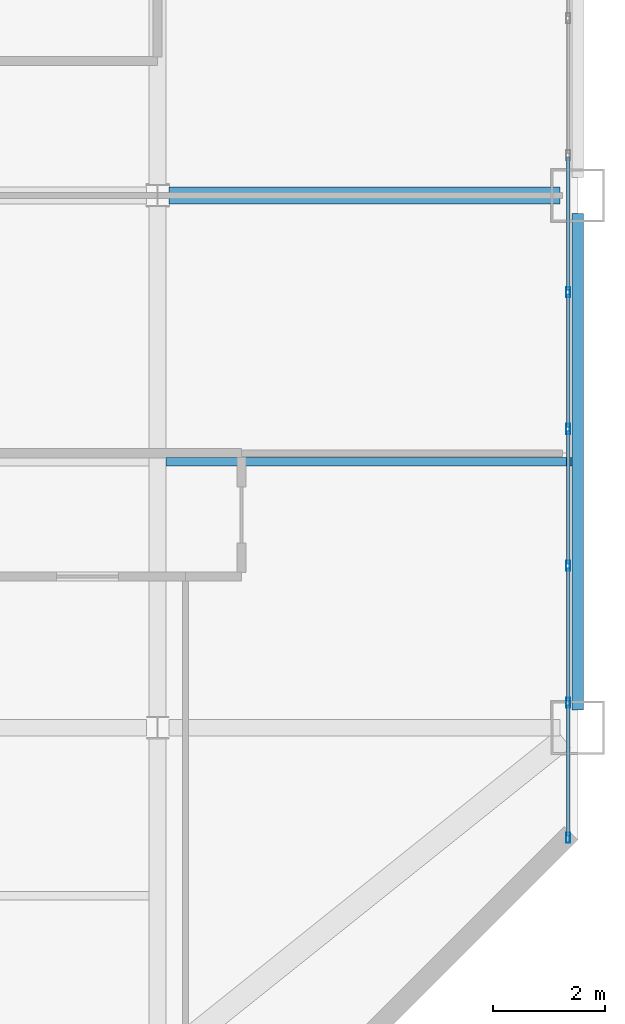
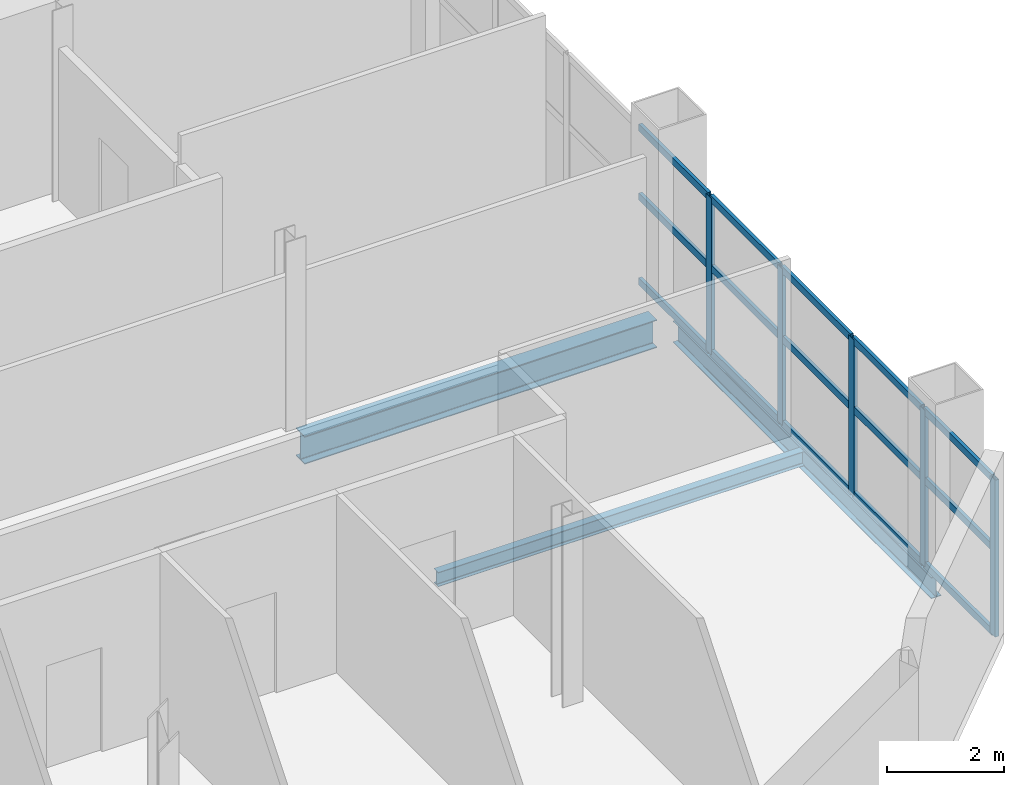
# One storey, part 4 of 12: 20 members, 3 beams, 1 element without a shape of its own.
"""IFC4 building model written with IfcOpenShell, lengths in metres."""

from ifc_helpers import new_model, si_unit, direction, frame, origin, origin_2d, place, context, subcontext, project, spatial, hollow_rectangle, i_section, extrude, material, layer, layer_set, material_profile, profile_set, type_object, element, aggregate, save


model = new_model("IFC4")

# Units and contexts
model_context = context("Model", 3, precision=1e-05, world=origin(), true_north=direction((0.0, 1.0)))
body_context = subcontext(model_context, "Body", "Model", "MODEL_VIEW")
ifc_project = project(units=[si_unit("LENGTHUNIT", "METRE"), si_unit("AREAUNIT", "SQUARE_METRE"), si_unit("VOLUMEUNIT", "CUBIC_METRE"), si_unit("PLANEANGLEUNIT", "RADIAN"), si_unit("MASSUNIT", "GRAM", prefix="KILO")], contexts=[model_context])

# Site, building, storey
site_placement = place(None, origin())
site = spatial("IfcSite", under=ifc_project, at=site_placement, CompositionType="ELEMENT")
building_placement = place(site_placement, origin())
building = spatial("IfcBuilding", under=site, at=building_placement, Name="Qianrong Seaharbour Tower", CompositionType="ELEMENT")
storey_placement = place(building_placement, frame((0.0, 0.0, 205.800048828125)))
storey = spatial("IfcBuildingStorey", under=building, at=storey_placement, Name="L49", CompositionType="ELEMENT", Elevation=205.800048828125)

# Beams
ifc_material_1 = material(Name="Structural steel SN490B", Category="steel")
ifc_material_profile_1 = material_profile(ifc_material_1, i_section(OverallWidth=0.300048828125, OverallDepth=0.587890625, WebThickness=0.011962890625, FlangeThickness=0.02001953125, FilletRadius=0.02392578125, at=origin_2d()), Name="H588x300x12x20")
ifc_profile_set_1 = profile_set([ifc_material_profile_1], Name="Structural steel SN490B")
beam_type_1 = type_object("IfcBeamType", Name="BM-G-588", PredefinedType="BEAM", material=ifc_profile_set_1)
beam_1_placement = place(storey_placement, frame((56.699951171875, 28.0, -0.51904296875), z_axis=(1.0, 0.0, 0.0), x_axis=(0.0, 1.0, 0.0)))
element("IfcBeam", 1, at=beam_1_placement, inside=storey, type_object=beam_type_1, Name="L49 Primary Girder GE G8-G9", PredefinedType="BEAM", context=body_context, shape_type="SweptSolid", body=[
    extrude(i_section(OverallWidth=0.300048828125, OverallDepth=0.587890625, WebThickness=0.011962890625, FlangeThickness=0.02001953125, FilletRadius=0.02392578125, at=origin_2d()), origin(), (0.0, 0.0, 1.0), 6.97998046875),
])
ifc_material_2 = material(Name="Structural steel SN400B", Category="steel")
ifc_material_profile_2 = material_profile(ifc_material_2, i_section(OverallWidth=0.14990234375, OverallDepth=0.300048828125, WebThickness=0.006591796875, FlangeThickness=0.009033203125, FilletRadius=0.012939453125, at=origin_2d()), Name="H300x150x6.5x9")
ifc_profile_set_2 = profile_set([ifc_material_profile_2], Name="Structural steel SN400B")
beam_type_2 = type_object("IfcBeamType", Name="BM-J-300", PredefinedType="JOIST", material=ifc_profile_set_2)
beam_2_placement = place(storey_placement, frame((56.64990234375, 23.25, -0.375), z_axis=(1.0, 0.0, 0.0), x_axis=(0.0, 1.0, 0.0)))
element("IfcBeam", 2, at=beam_2_placement, inside=storey, type_object=beam_type_2, Name="L49 Composite Floor Joist G8-G9/GD-GE", PredefinedType="JOIST", context=body_context, shape_type="SweptSolid", body=[
    extrude(i_section(OverallWidth=0.14990234375, OverallDepth=0.300048828125, WebThickness=0.006591796875, FlangeThickness=0.009033203125, FilletRadius=0.012939453125, at=origin_2d()), origin(), (0.0, 0.0, 1.0), 7.25),
])
ifc_material_profile_3 = material_profile(ifc_material_2, i_section(OverallWidth=0.199951171875, OverallDepth=0.449951171875, WebThickness=0.009033203125, FlangeThickness=0.013916015625, FilletRadius=0.01806640625, at=origin_2d()), Name="H450x200x9x14")
ifc_profile_set_3 = profile_set([ifc_material_profile_3], Name="Structural steel SN400B")
beam_type_3 = type_object("IfcBeamType", Name="BM-SP-450", PredefinedType="SPANDREL", material=ifc_profile_set_3)
beam_3_placement = place(storey_placement, frame((64.0, 18.820068359375, -0.449951171875), z_axis=(0.0, 1.0, 0.0), x_axis=(-1.0, 0.0, 0.0)))
element("IfcBeam", 3, at=beam_3_placement, inside=storey, type_object=beam_type_3, Name="L49 Spandrel Girder G9 GD-GE", PredefinedType="SPANDREL", context=body_context, shape_type="SweptSolid", body=[
    extrude(i_section(OverallWidth=0.199951171875, OverallDepth=0.449951171875, WebThickness=0.009033203125, FlangeThickness=0.013916015625, FilletRadius=0.01806640625, at=origin_2d()), origin(), (0.0, 0.0, 1.0), 8.85986328125),
])

# Curtain wall, members
ifc_material_3 = material(Name="Anodised aluminium 6063-T6 and laminated low-e glass", Category="aluminium")
ifc_layer = layer(ifc_material_3, 0.195068359375)
ifc_layer_set = layer_set([ifc_layer], Name="Anodised aluminium 6063-T6 and laminated low-e glass")
curtain_wall_type = type_object("IfcCurtainWallType", Name="CW-SYS-3", PredefinedType="NOTDEFINED", material=ifc_layer_set)
curtain_wall_placement = place(storey_placement, origin())
curtain_wall = element("IfcCurtainWall", 4, at=curtain_wall_placement, inside=storey, type_object=curtain_wall_type, Name="L49 Sky-Garden Wintergarden Curtain Wall EAST_WING", PredefinedType="NOTDEFINED")
ifc_material_4 = material(Name="Extruded aluminium 6063-T6", Category="aluminium")
ifc_material_profile_4 = material_profile(ifc_material_4, hollow_rectangle(XDim=0.070068359375, YDim=0.179931640625, WallThickness=0.00390625, at=origin_2d()), Name="ALU-MUL-180x70x4")
ifc_profile_set_4 = profile_set([ifc_material_profile_4], Name="Extruded aluminium 6063-T6")
member_type_1 = type_object("IfcMemberType", Name="CW-MUL-180", PredefinedType="MULLION", material=ifc_profile_set_4)
member_1_placement = place(storey_placement, frame((63.830078125, 26.27490234375, 0.0), z_axis=(0.0, 0.0, 1.0), x_axis=(1.0, 0.0, 0.0)))
member_1 = element("IfcMember", 5, at=member_1_placement, type_object=member_type_1, Name="CW-3 mullion 5", PredefinedType="MULLION", context=body_context, shape_type="SweptSolid", body=[
    extrude(hollow_rectangle(XDim=0.070068359375, YDim=0.179931640625, WallThickness=0.00390625, at=origin_2d()), origin(), (0.0, 0.0, 1.0), 3.284912109375),
])
member_2_placement = place(storey_placement, frame((63.830078125, 23.831298828125, 0.0), z_axis=(0.0, 0.0, 1.0), x_axis=(1.0, 0.0, 0.0)))
member_2 = element("IfcMember", 6, at=member_2_placement, type_object=member_type_1, Name="CW-3 mullion 6", PredefinedType="MULLION", context=body_context, shape_type="SweptSolid", body=[
    extrude(hollow_rectangle(XDim=0.070068359375, YDim=0.179931640625, WallThickness=0.00390625, at=origin_2d()), origin(), (0.0, 0.0, 1.0), 3.284912109375),
])
member_3_placement = place(storey_placement, frame((63.830078125, 21.387451171875, 0.0), z_axis=(0.0, 0.0, 1.0), x_axis=(1.0, 0.0, 0.0)))
member_3 = element("IfcMember", 7, at=member_3_placement, type_object=member_type_1, Name="CW-3 mullion 7", PredefinedType="MULLION", context=body_context, shape_type="SweptSolid", body=[
    extrude(hollow_rectangle(XDim=0.070068359375, YDim=0.179931640625, WallThickness=0.00390625, at=origin_2d()), origin(), (0.0, 0.0, 1.0), 3.284912109375),
])
member_4_placement = place(storey_placement, frame((63.830078125, 18.94384765625, 0.0), z_axis=(0.0, 0.0, 1.0), x_axis=(1.0, 0.0, 0.0)))
member_4 = element("IfcMember", 8, at=member_4_placement, type_object=member_type_1, Name="CW-3 mullion 8", PredefinedType="MULLION", context=body_context, shape_type="SweptSolid", body=[
    extrude(hollow_rectangle(XDim=0.070068359375, YDim=0.179931640625, WallThickness=0.00390625, at=origin_2d()), origin(), (0.0, 0.0, 1.0), 3.284912109375),
])
member_5_placement = place(storey_placement, frame((63.830078125, 16.534912109375, 0.0), z_axis=(0.0, 0.0, 1.0), x_axis=(1.0, 0.0, 0.0)))
member_5 = element("IfcMember", 9, at=member_5_placement, type_object=member_type_1, Name="CW-3 mullion 9", PredefinedType="MULLION", context=body_context, shape_type="SweptSolid", body=[
    extrude(hollow_rectangle(XDim=0.070068359375, YDim=0.179931640625, WallThickness=0.00390625, at=origin_2d()), origin(), (0.0, 0.0, 1.0), 3.284912109375),
])
ifc_material_profile_5 = material_profile(ifc_material_4, hollow_rectangle(XDim=0.06494140625, YDim=0.14990234375, WallThickness=0.00390625, at=origin_2d()), Name="ALU-TRN-150x65x4")
ifc_profile_set_5 = profile_set([ifc_material_profile_5], Name="Extruded aluminium 6063-T6")
member_type_2 = type_object("IfcMemberType", Name="CW-TRN-150", PredefinedType="USERDEFINED", material=ifc_profile_set_5)
member_6_placement = place(storey_placement, frame((63.830078125, 28.683837890625, 0.032470703125), z_axis=(0.0, -1.0, 0.0), x_axis=(1.0, 0.0, 0.0)))
member_6 = element("IfcMember", 10, at=member_6_placement, type_object=member_type_2, Name="CW-3 transom 4.1", ObjectType="TRANSOM", PredefinedType="USERDEFINED", context=body_context, shape_type="SweptSolid", body=[
    extrude(hollow_rectangle(XDim=0.06494140625, YDim=0.14990234375, WallThickness=0.00390625, at=origin_2d()), origin(), (0.0, 0.0, 1.0), 2.373779296875),
])
member_7_placement = place(storey_placement, frame((63.830078125, 28.683837890625, 1.806640625), z_axis=(0.0, -1.0, 0.0), x_axis=(1.0, 0.0, 0.0)))
member_7 = element("IfcMember", 11, at=member_7_placement, type_object=member_type_2, Name="CW-3 transom 4.2", ObjectType="TRANSOM", PredefinedType="USERDEFINED", context=body_context, shape_type="SweptSolid", body=[
    extrude(hollow_rectangle(XDim=0.06494140625, YDim=0.14990234375, WallThickness=0.00390625, at=origin_2d()), origin(), (0.0, 0.0, 1.0), 2.373779296875),
])
member_8_placement = place(storey_placement, frame((63.830078125, 28.683837890625, 3.25244140625), z_axis=(0.0, -1.0, 0.0), x_axis=(1.0, 0.0, 0.0)))
member_8 = element("IfcMember", 12, at=member_8_placement, type_object=member_type_2, Name="CW-3 transom 4.3", ObjectType="TRANSOM", PredefinedType="USERDEFINED", context=body_context, shape_type="SweptSolid", body=[
    extrude(hollow_rectangle(XDim=0.06494140625, YDim=0.14990234375, WallThickness=0.00390625, at=origin_2d()), origin(), (0.0, 0.0, 1.0), 2.373779296875),
])
member_9_placement = place(storey_placement, frame((63.830078125, 26.239990234375, 0.032470703125), z_axis=(0.0, -1.0, 0.0), x_axis=(1.0, 0.0, 0.0)))
member_9 = element("IfcMember", 13, at=member_9_placement, type_object=member_type_2, Name="CW-3 transom 5.1", ObjectType="TRANSOM", PredefinedType="USERDEFINED", context=body_context, shape_type="SweptSolid", body=[
    extrude(hollow_rectangle(XDim=0.06494140625, YDim=0.14990234375, WallThickness=0.00390625, at=origin_2d()), origin(), (0.0, 0.0, 1.0), 2.373779296875),
])
member_10_placement = place(storey_placement, frame((63.830078125, 26.239990234375, 1.806640625), z_axis=(0.0, -1.0, 0.0), x_axis=(1.0, 0.0, 0.0)))
member_10 = element("IfcMember", 14, at=member_10_placement, type_object=member_type_2, Name="CW-3 transom 5.2", ObjectType="TRANSOM", PredefinedType="USERDEFINED", context=body_context, shape_type="SweptSolid", body=[
    extrude(hollow_rectangle(XDim=0.06494140625, YDim=0.14990234375, WallThickness=0.00390625, at=origin_2d()), origin(), (0.0, 0.0, 1.0), 2.373779296875),
])
member_11_placement = place(storey_placement, frame((63.830078125, 26.239990234375, 3.25244140625), z_axis=(0.0, -1.0, 0.0), x_axis=(1.0, 0.0, 0.0)))
member_11 = element("IfcMember", 15, at=member_11_placement, type_object=member_type_2, Name="CW-3 transom 5.3", ObjectType="TRANSOM", PredefinedType="USERDEFINED", context=body_context, shape_type="SweptSolid", body=[
    extrude(hollow_rectangle(XDim=0.06494140625, YDim=0.14990234375, WallThickness=0.00390625, at=origin_2d()), origin(), (0.0, 0.0, 1.0), 2.373779296875),
])
member_12_placement = place(storey_placement, frame((63.830078125, 23.796142578125, 0.032470703125), z_axis=(0.0, -1.0, 0.0), x_axis=(1.0, 0.0, 0.0)))
member_12 = element("IfcMember", 16, at=member_12_placement, type_object=member_type_2, Name="CW-3 transom 6.1", ObjectType="TRANSOM", PredefinedType="USERDEFINED", context=body_context, shape_type="SweptSolid", body=[
    extrude(hollow_rectangle(XDim=0.06494140625, YDim=0.14990234375, WallThickness=0.00390625, at=origin_2d()), origin(), (0.0, 0.0, 1.0), 2.37353515625),
])
member_13_placement = place(storey_placement, frame((63.830078125, 23.796142578125, 1.806640625), z_axis=(0.0, -1.0, 0.0), x_axis=(1.0, 0.0, 0.0)))
member_13 = element("IfcMember", 17, at=member_13_placement, type_object=member_type_2, Name="CW-3 transom 6.2", ObjectType="TRANSOM", PredefinedType="USERDEFINED", context=body_context, shape_type="SweptSolid", body=[
    extrude(hollow_rectangle(XDim=0.06494140625, YDim=0.14990234375, WallThickness=0.00390625, at=origin_2d()), origin(), (0.0, 0.0, 1.0), 2.37353515625),
])
member_14_placement = place(storey_placement, frame((63.830078125, 23.796142578125, 3.25244140625), z_axis=(0.0, -1.0, 0.0), x_axis=(1.0, 0.0, 0.0)))
member_14 = element("IfcMember", 18, at=member_14_placement, type_object=member_type_2, Name="CW-3 transom 6.3", ObjectType="TRANSOM", PredefinedType="USERDEFINED", context=body_context, shape_type="SweptSolid", body=[
    extrude(hollow_rectangle(XDim=0.06494140625, YDim=0.14990234375, WallThickness=0.00390625, at=origin_2d()), origin(), (0.0, 0.0, 1.0), 2.37353515625),
])
member_15_placement = place(storey_placement, frame((63.830078125, 21.3525390625, 0.032470703125), z_axis=(0.0, -1.0, 0.0), x_axis=(1.0, 0.0, 0.0)))
member_15 = element("IfcMember", 19, at=member_15_placement, type_object=member_type_2, Name="CW-3 transom 7.1", ObjectType="TRANSOM", PredefinedType="USERDEFINED", context=body_context, shape_type="SweptSolid", body=[
    extrude(hollow_rectangle(XDim=0.06494140625, YDim=0.14990234375, WallThickness=0.00390625, at=origin_2d()), origin(), (0.0, 0.0, 1.0), 2.373779296875),
])
member_16_placement = place(storey_placement, frame((63.830078125, 21.3525390625, 1.806640625), z_axis=(0.0, -1.0, 0.0), x_axis=(1.0, 0.0, 0.0)))
member_16 = element("IfcMember", 20, at=member_16_placement, type_object=member_type_2, Name="CW-3 transom 7.2", ObjectType="TRANSOM", PredefinedType="USERDEFINED", context=body_context, shape_type="SweptSolid", body=[
    extrude(hollow_rectangle(XDim=0.06494140625, YDim=0.14990234375, WallThickness=0.00390625, at=origin_2d()), origin(), (0.0, 0.0, 1.0), 2.373779296875),
])
member_17_placement = place(storey_placement, frame((63.830078125, 21.3525390625, 3.25244140625), z_axis=(0.0, -1.0, 0.0), x_axis=(1.0, 0.0, 0.0)))
member_17 = element("IfcMember", 21, at=member_17_placement, type_object=member_type_2, Name="CW-3 transom 7.3", ObjectType="TRANSOM", PredefinedType="USERDEFINED", context=body_context, shape_type="SweptSolid", body=[
    extrude(hollow_rectangle(XDim=0.06494140625, YDim=0.14990234375, WallThickness=0.00390625, at=origin_2d()), origin(), (0.0, 0.0, 1.0), 2.373779296875),
])
member_18_placement = place(storey_placement, frame((63.830078125, 18.90869140625, 0.032470703125), z_axis=(0.0, -1.0, 0.0), x_axis=(1.0, 0.0, 0.0)))
member_18 = element("IfcMember", 22, at=member_18_placement, type_object=member_type_2, Name="CW-3 transom 8.1", ObjectType="TRANSOM", PredefinedType="USERDEFINED", context=body_context, shape_type="SweptSolid", body=[
    extrude(hollow_rectangle(XDim=0.06494140625, YDim=0.14990234375, WallThickness=0.00390625, at=origin_2d()), origin(), (0.0, 0.0, 1.0), 2.338623046875),
])
member_19_placement = place(storey_placement, frame((63.830078125, 18.90869140625, 1.806640625), z_axis=(0.0, -1.0, 0.0), x_axis=(1.0, 0.0, 0.0)))
member_19 = element("IfcMember", 23, at=member_19_placement, type_object=member_type_2, Name="CW-3 transom 8.2", ObjectType="TRANSOM", PredefinedType="USERDEFINED", context=body_context, shape_type="SweptSolid", body=[
    extrude(hollow_rectangle(XDim=0.06494140625, YDim=0.14990234375, WallThickness=0.00390625, at=origin_2d()), origin(), (0.0, 0.0, 1.0), 2.338623046875),
])
member_20_placement = place(storey_placement, frame((63.830078125, 18.90869140625, 3.25244140625), z_axis=(0.0, -1.0, 0.0), x_axis=(1.0, 0.0, 0.0)))
member_20 = element("IfcMember", 24, at=member_20_placement, type_object=member_type_2, Name="CW-3 transom 8.3", ObjectType="TRANSOM", PredefinedType="USERDEFINED", context=body_context, shape_type="SweptSolid", body=[
    extrude(hollow_rectangle(XDim=0.06494140625, YDim=0.14990234375, WallThickness=0.00390625, at=origin_2d()), origin(), (0.0, 0.0, 1.0), 2.338623046875),
])
aggregate(curtain_wall, [member_1, member_2, member_3, member_4, member_5, member_6, member_7, member_8, member_9, member_10, member_11, member_12, member_13, member_14, member_15, member_16, member_17, member_18, member_19, member_20])

save(model, "model.ifc")
